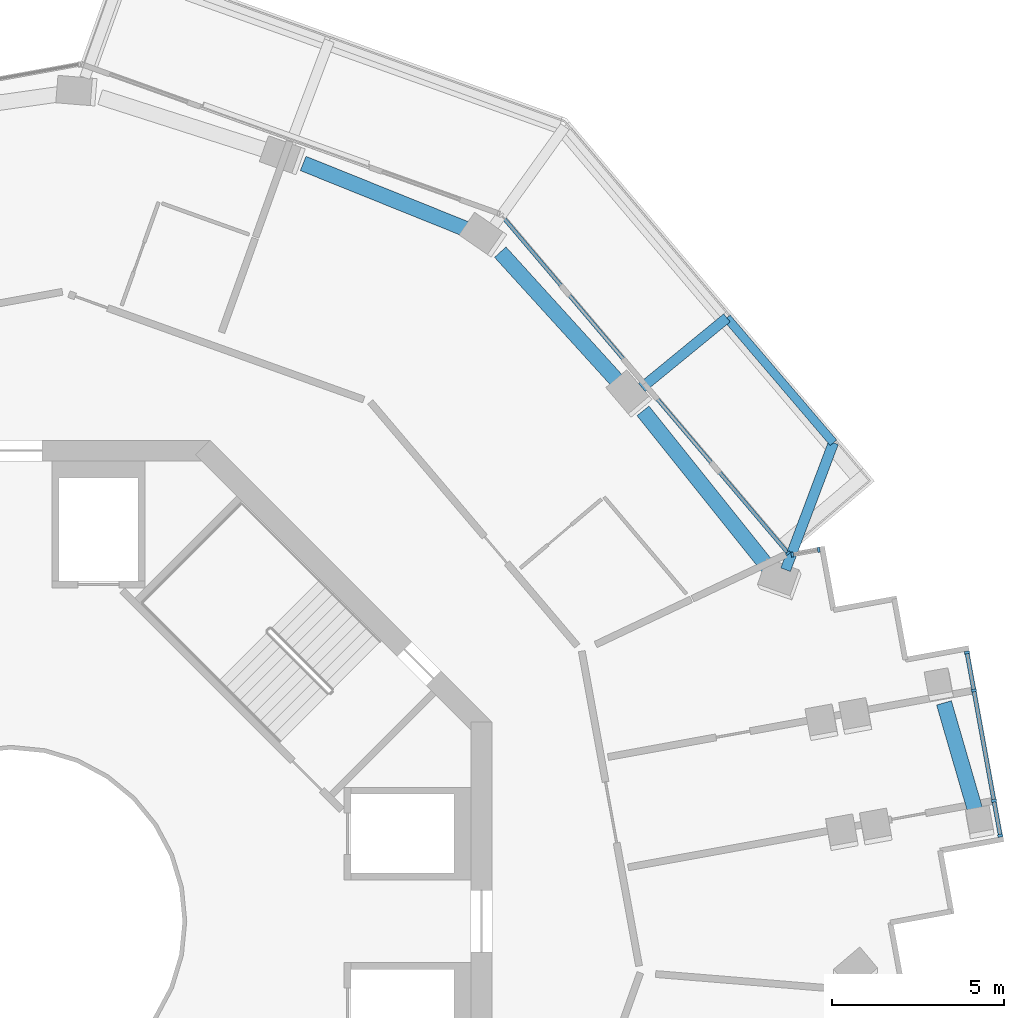
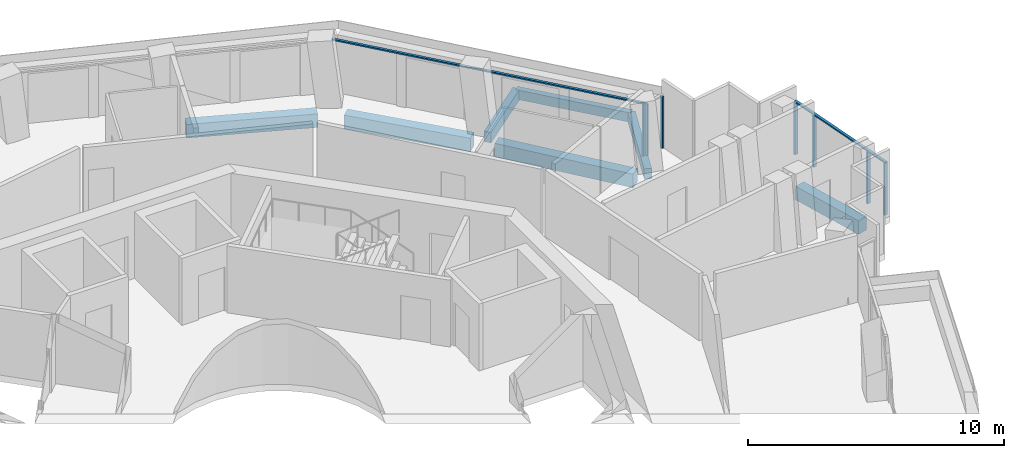
# One storey, part 7 of 21: 9 members, 7 beams, 3 elements without a shape of their own.
"""IFC4 building model written with IfcOpenShell, lengths in metres."""

from ifc_helpers import new_model, si_unit, direction, frame, origin, origin_2d, place, context, subcontext, project, spatial, rectangle, extrude, material, layer, layer_set, material_profile, profile_set, type_object, element, aggregate, save


model = new_model("IFC4")

# Units and contexts
model_context = context("Model", 3, precision=1e-05, world=origin(), true_north=direction((0.0, 1.0)))
body_context = subcontext(model_context, "Body", "Model", "MODEL_VIEW")
ifc_project = project(units=[si_unit("LENGTHUNIT", "METRE"), si_unit("AREAUNIT", "SQUARE_METRE"), si_unit("VOLUMEUNIT", "CUBIC_METRE"), si_unit("PLANEANGLEUNIT", "RADIAN"), si_unit("MASSUNIT", "GRAM", prefix="KILO")], contexts=[model_context])

# Site, building, storey
site_placement = place(None, origin())
site = spatial("IfcSite", under=ifc_project, at=site_placement, CompositionType="ELEMENT")
building_placement = place(site_placement, origin())
building = spatial("IfcBuilding", under=site, at=building_placement, Name="Verdalira Terraces Hotel", CompositionType="ELEMENT")
storey_placement = place(building_placement, frame((0.0, 0.0, 197.5)))
storey = spatial("IfcBuildingStorey", under=building, at=storey_placement, Name="L48", CompositionType="ELEMENT", Elevation=197.5)

# Beams
ifc_material_1 = material(Name="Concrete C40", Category="concrete")
ifc_material_profile_1 = material_profile(ifc_material_1, rectangle(XDim=0.300049, YDim=0.5, at=origin_2d()), Name="RC 300X500")
ifc_profile_set_1 = profile_set([ifc_material_profile_1], Name="Concrete C40")
beam_type_1 = type_object("IfcBeamType", Name="Balcony cantilever beam RC 300X500 C40", PredefinedType="BEAM", material=ifc_profile_set_1)
beam_1_placement = place(storey_placement, frame((22.553467, 10.233398, -0.560059), z_axis=(0.352484515, 0.935817646, 0.0), x_axis=(-0.935817646, 0.352484515, 0.0)))
element("IfcBeam", 1, at=beam_1_placement, inside=storey, type_object=beam_type_1, Name="Balcony cantilever beam R39-1", PredefinedType="BEAM", context=body_context, shape_type="SweptSolid", body=[
    extrude(rectangle(XDim=0.300049, YDim=0.5, at=origin_2d()), origin(), (0.0, 0.0, 1.0), 3.949951),
])
beam_2_placement = place(storey_placement, frame((18.369873, 15.534912, -0.560059), z_axis=(0.773168305, 0.634200893, 0.0), x_axis=(-0.634200893, 0.773168305, 0.0)))
element("IfcBeam", 2, at=beam_2_placement, inside=storey, type_object=beam_type_1, Name="Balcony cantilever beam R39-2", PredefinedType="BEAM", context=body_context, shape_type="SweptSolid", body=[
    extrude(rectangle(XDim=0.300049, YDim=0.5, at=origin_2d()), origin(), (0.0, 0.0, 1.0), 3.200928),
])
ifc_material_2 = material(Name="Concrete C40", Category="concrete")
ifc_material_profile_2 = material_profile(ifc_material_2, rectangle(XDim=0.25, YDim=0.449951, at=origin_2d()), Name="RC 250X450")
ifc_profile_set_2 = profile_set([ifc_material_profile_2], Name="Concrete C40")
beam_type_2 = type_object("IfcBeamType", Name="Balcony edge beam RC 250X450 C40", PredefinedType="BEAM", material=ifc_profile_set_2)
beam_3_placement = place(storey_placement, frame((23.945801, 13.929932, -0.534912), z_axis=(-0.649022287, 0.760769394, 0.0), x_axis=(-0.760769394, -0.649022287, 0.0)))
element("IfcBeam", 3, at=beam_3_placement, inside=storey, type_object=beam_type_2, Name="Balcony edge beam R39-1", PredefinedType="BEAM", context=body_context, shape_type="SweptSolid", body=[
    extrude(rectangle(XDim=0.25, YDim=0.449951, at=origin_2d()), origin(), (0.0, 0.0, 1.0), 4.778076),
])

# Curtain wall, members
ifc_material_3 = material(Name="Clear glass", Category="glass")
ifc_layer_1 = layer(ifc_material_3, 0.14990234375)
ifc_layer_set_1 = layer_set([ifc_layer_1], Name="CW1 curtain wall")
curtain_wall_type_1 = type_object("IfcCurtainWallType", Name="CW1 curtain wall", PredefinedType="NOTDEFINED", material=ifc_layer_set_1)
curtain_wall_1_placement = place(storey_placement, origin())
curtain_wall_1 = element("IfcCurtainWall", 4, at=curtain_wall_1_placement, inside=storey, type_object=curtain_wall_type_1, Name="CW1 curtain wall L48 edge 39", PredefinedType="NOTDEFINED")
ifc_material_4 = material(Name="Terracotta frame", Category="masonry")
ifc_material_profile_3 = material_profile(ifc_material_4, rectangle(XDim=0.060059, YDim=0.149902, at=origin_2d()), Name="MU 60x150")
ifc_profile_set_3 = profile_set([ifc_material_profile_3], Name="Terracotta frame")
member_type_1 = type_object("IfcMemberType", Name="CW1 mullion 60x150", PredefinedType="MULLION", material=ifc_profile_set_3)
member_1_placement = place(storey_placement, frame((22.624756, 10.714844, 0.0), z_axis=(0.0, 0.0, 1.0), x_axis=(-0.647055962, 0.762442511, 0.0)))
member_1 = element("IfcMember", 5, at=member_1_placement, type_object=member_type_1, Name="CW1 mullion", PredefinedType="MULLION", context=body_context, shape_type="SweptSolid", body=[
    extrude(rectangle(XDim=0.060059, YDim=0.149902, at=origin_2d()), origin(), (0.0, 0.0, 1.0), 2.475098),
])
ifc_material_5 = material(Name="Terracotta frame", Category="masonry")
ifc_material_profile_4 = material_profile(ifc_material_5, rectangle(XDim=0.110107, YDim=0.064941, at=origin_2d()), Name="TR 65x110")
ifc_profile_set_4 = profile_set([ifc_material_profile_4], Name="Terracotta frame")
member_type_2 = type_object("IfcMemberType", Name="CW1 transom 65x110", PredefinedType="USERDEFINED", material=ifc_profile_set_4)
member_2_placement = place(storey_placement, frame((22.644287, 10.692139, 2.507568), z_axis=(-0.647057103, 0.762441543, 0.0), x_axis=(-0.762441543, -0.647057103, 0.0)))
member_2 = element("IfcMember", 6, at=member_2_placement, type_object=member_type_2, Name="CW1 transom", ObjectType="TRANSOM", PredefinedType="USERDEFINED", context=body_context, shape_type="SweptSolid", body=[
    extrude(rectangle(XDim=0.110107, YDim=0.064941, at=origin_2d()), origin(), (0.0, 0.0, 1.0), 12.959717),
])
aggregate(curtain_wall_1, [member_1, member_2])

ifc_material_6 = material(Name="Clear glass", Category="glass")
ifc_layer_2 = layer(ifc_material_6, 0.14990234375)
ifc_layer_set_2 = layer_set([ifc_layer_2], Name="CW2 curtain wall")
curtain_wall_type_2 = type_object("IfcCurtainWallType", Name="CW2 curtain wall", PredefinedType="NOTDEFINED", material=ifc_layer_set_2)
curtain_wall_2_placement = place(storey_placement, origin())
curtain_wall_2 = element("IfcCurtainWall", 7, at=curtain_wall_2_placement, inside=storey, type_object=curtain_wall_type_2, Name="CW2 curtain wall L48 edge 38", PredefinedType="NOTDEFINED")
ifc_material_7 = material(Name="Terracotta frame", Category="masonry")
ifc_material_profile_5 = material_profile(ifc_material_7, rectangle(XDim=0.070068, YDim=0.149902, at=origin_2d()), Name="MU 70x150")
ifc_profile_set_5 = profile_set([ifc_material_profile_5], Name="Terracotta frame")
member_type_3 = type_object("IfcMemberType", Name="CW2 mullion 70x150", PredefinedType="MULLION", material=ifc_profile_set_5)
member_3_placement = place(storey_placement, frame((23.516602, 10.812744, 0.0), z_axis=(0.0, 0.0, 1.0), x_axis=(-0.983822564, -0.179145645, 0.0)))
member_3 = element("IfcMember", 8, at=member_3_placement, type_object=member_type_3, Name="CW2 mullion", PredefinedType="MULLION", context=body_context, shape_type="SweptSolid", body=[
    extrude(rectangle(XDim=0.070068, YDim=0.149902, at=origin_2d()), origin(), (0.0, 0.0, 1.0), 2.475098),
])
member_4_placement = place(storey_placement, frame((22.749268, 10.673096, 0.0), z_axis=(0.0, 0.0, 1.0), x_axis=(-0.983822564, -0.179145645, 0.0)))
member_4 = element("IfcMember", 9, at=member_4_placement, type_object=member_type_3, Name="CW2 mullion", PredefinedType="MULLION", context=body_context, shape_type="SweptSolid", body=[
    extrude(rectangle(XDim=0.070068, YDim=0.149902, at=origin_2d()), origin(), (0.0, 0.0, 1.0), 2.475098),
])
aggregate(curtain_wall_2, [member_3, member_4])

ifc_material_8 = material(Name="Clear glass", Category="glass")
ifc_layer_3 = layer(ifc_material_8, 0.14990234375)
ifc_layer_set_3 = layer_set([ifc_layer_3], Name="CW3 curtain wall")
curtain_wall_type_3 = type_object("IfcCurtainWallType", Name="CW3 curtain wall", PredefinedType="NOTDEFINED", material=ifc_layer_set_3)
curtain_wall_3_placement = place(storey_placement, origin())
curtain_wall_3 = element("IfcCurtainWall", 10, at=curtain_wall_3_placement, inside=storey, type_object=curtain_wall_type_3, Name="CW3 curtain wall L48 edge 33", PredefinedType="NOTDEFINED")
ifc_material_9 = material(Name="Terracotta frame", Category="masonry")
ifc_material_profile_6 = material_profile(ifc_material_9, rectangle(XDim=0.080078, YDim=0.149902, at=origin_2d()), Name="MU 80x150")
ifc_profile_set_6 = profile_set([ifc_material_profile_6], Name="Terracotta frame")
member_type_4 = type_object("IfcMemberType", Name="CW3 mullion 80x150", PredefinedType="MULLION", material=ifc_profile_set_6)
member_5_placement = place(storey_placement, frame((28.803223, 2.490234, 0.0), z_axis=(0.0, 0.0, 1.0), x_axis=(-0.179145645, 0.983822564, 0.0)))
member_5 = element("IfcMember", 11, at=member_5_placement, type_object=member_type_4, Name="CW3 mullion", PredefinedType="MULLION", context=body_context, shape_type="SweptSolid", body=[
    extrude(rectangle(XDim=0.080078, YDim=0.149902, at=origin_2d()), origin(), (0.0, 0.0, 1.0), 2.475098),
])
member_6_placement = place(storey_placement, frame((28.61792, 3.507812, 0.0), z_axis=(0.0, 0.0, 1.0), x_axis=(-0.179145645, 0.983822564, 0.0)))
member_6 = element("IfcMember", 12, at=member_6_placement, type_object=member_type_4, Name="CW3 mullion", PredefinedType="MULLION", context=body_context, shape_type="SweptSolid", body=[
    extrude(rectangle(XDim=0.080078, YDim=0.149902, at=origin_2d()), origin(), (0.0, 0.0, 1.0), 2.475098),
])
member_7_placement = place(storey_placement, frame((28.032959, 6.719727, 0.0), z_axis=(0.0, 0.0, 1.0), x_axis=(-0.179145645, 0.983822564, 0.0)))
member_7 = element("IfcMember", 13, at=member_7_placement, type_object=member_type_4, Name="CW3 mullion", PredefinedType="MULLION", context=body_context, shape_type="SweptSolid", body=[
    extrude(rectangle(XDim=0.080078, YDim=0.149902, at=origin_2d()), origin(), (0.0, 0.0, 1.0), 2.475098),
])
member_8_placement = place(storey_placement, frame((27.832275, 7.82251, 0.0), z_axis=(0.0, 0.0, 1.0), x_axis=(-0.179145645, 0.983822564, 0.0)))
member_8 = element("IfcMember", 14, at=member_8_placement, type_object=member_type_4, Name="CW3 mullion", PredefinedType="MULLION", context=body_context, shape_type="SweptSolid", body=[
    extrude(rectangle(XDim=0.080078, YDim=0.149902, at=origin_2d()), origin(), (0.0, 0.0, 1.0), 2.475098),
])
ifc_material_10 = material(Name="Terracotta frame", Category="masonry")
ifc_material_profile_7 = material_profile(ifc_material_10, rectangle(XDim=0.120117, YDim=0.064941, at=origin_2d()), Name="TR 65x120")
ifc_profile_set_7 = profile_set([ifc_material_profile_7], Name="Terracotta frame")
member_type_5 = type_object("IfcMemberType", Name="CW3 transom 65x120", PredefinedType="USERDEFINED", material=ifc_profile_set_7)
member_9_placement = place(storey_placement, frame((28.810303, 2.450928, 2.507568), z_axis=(-0.179158875, 0.983820155, 0.0), x_axis=(-0.983820155, -0.179158875, 0.0)))
member_9 = element("IfcMember", 15, at=member_9_placement, type_object=member_type_5, Name="CW3 transom", ObjectType="TRANSOM", PredefinedType="USERDEFINED", context=body_context, shape_type="SweptSolid", body=[
    extrude(rectangle(XDim=0.120117, YDim=0.064941, at=origin_2d()), origin(), (0.0, 0.0, 1.0), 5.499756),
])
aggregate(curtain_wall_3, [member_5, member_6, member_7, member_8, member_9])

# Beams
ifc_material_11 = material(Name="Concrete C50", Category="concrete")
ifc_material_profile_8 = material_profile(ifc_material_11, rectangle(XDim=0.449951, YDim=0.649902, at=origin_2d()), Name="RC 450X650")
ifc_profile_set_8 = profile_set([ifc_material_profile_8], Name="Concrete C50")
beam_type_3 = type_object("IfcBeamType", Name="Spandrel beam RC 450X650 C50", PredefinedType="SPANDREL", material=ifc_profile_set_8)
beam_4_placement = place(storey_placement, frame((28.112549, 3.087402, -0.63501), z_axis=(-0.278705668, 0.960376567, 0.0), x_axis=(-0.960376567, -0.278705668, 0.0)))
element("IfcBeam", 16, at=beam_4_placement, inside=storey, type_object=beam_type_3, Name="Spandrel beam B17", PredefinedType="SPANDREL", context=body_context, shape_type="SweptSolid", body=[
    extrude(rectangle(XDim=0.449951, YDim=0.649902, at=origin_2d()), origin(), (0.0, 0.0, 1.0), 3.405029),
])
beam_5_placement = place(storey_placement, frame((22.031494, 10.319336, -0.63501), z_axis=(-0.624715533, 0.780852421, 0.0), x_axis=(-0.780852421, -0.624715533, 0.0)))
element("IfcBeam", 17, at=beam_5_placement, inside=storey, type_object=beam_type_3, Name="Spandrel beam B18", PredefinedType="SPANDREL", context=body_context, shape_type="SweptSolid", body=[
    extrude(rectangle(XDim=0.449951, YDim=0.649902, at=origin_2d()), origin(), (0.0, 0.0, 1.0), 5.813477),
])
beam_6_placement = place(storey_placement, frame((17.734863, 15.637695, -0.63501), z_axis=(-0.672298037, 0.740280588, 0.0), x_axis=(-0.740280588, -0.672298037, 0.0)))
element("IfcBeam", 18, at=beam_6_placement, inside=storey, type_object=beam_type_3, Name="Spandrel beam B19", PredefinedType="SPANDREL", context=body_context, shape_type="SweptSolid", body=[
    extrude(rectangle(XDim=0.449951, YDim=0.649902, at=origin_2d()), origin(), (0.0, 0.0, 1.0), 5.189209),
])
beam_7_placement = place(storey_placement, frame((13.322754, 20.120361, -0.63501), z_axis=(-0.927500645, 0.373821553, 0.0), x_axis=(-0.373821553, -0.927500645, 0.0)))
element("IfcBeam", 19, at=beam_7_placement, inside=storey, type_object=beam_type_3, Name="Spandrel beam B20", PredefinedType="SPANDREL", context=body_context, shape_type="SweptSolid", body=[
    extrude(rectangle(XDim=0.449951, YDim=0.649902, at=origin_2d()), origin(), (0.0, 0.0, 1.0), 5.192139),
])

save(model, "model.ifc")
